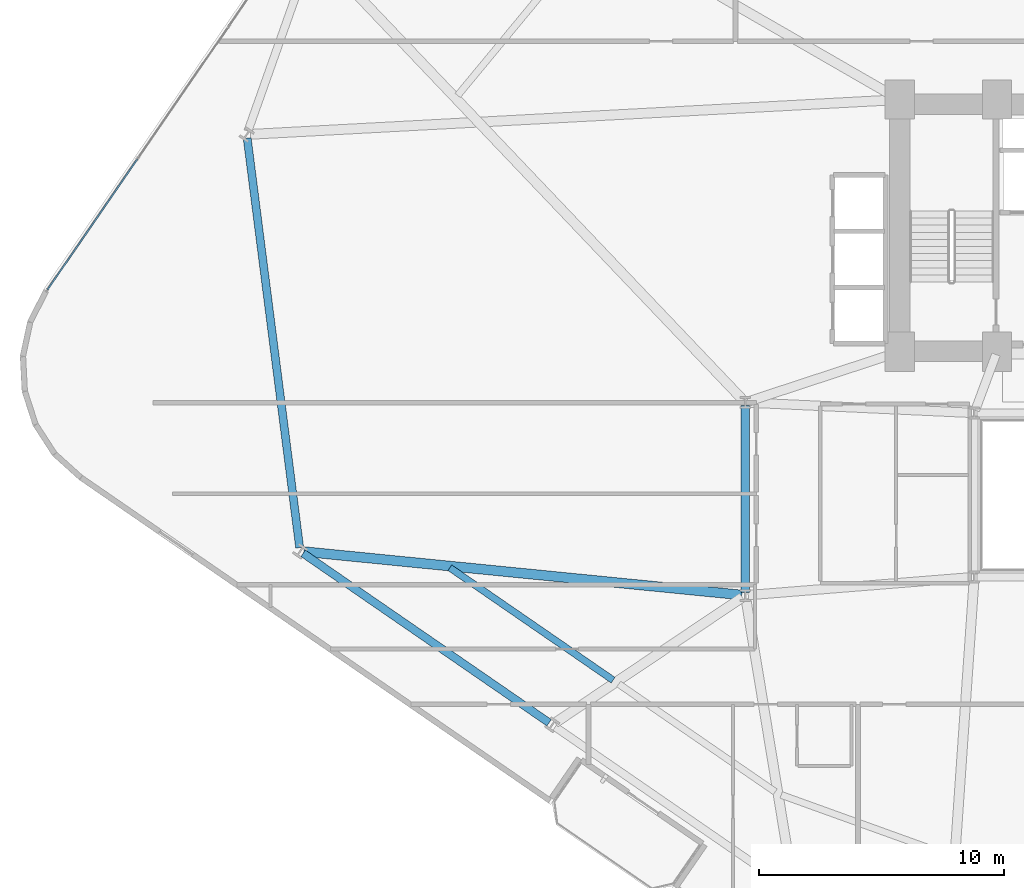
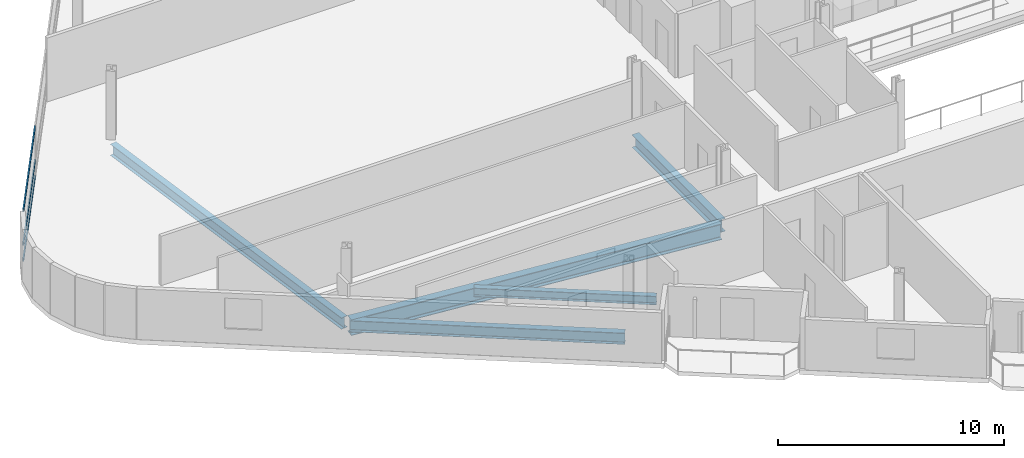
# One storey, part 3 of 24: 5 beams, 3 members, 1 element without a shape of its own.
"""IFC4 building model written with IfcOpenShell, lengths in metres."""

from ifc_helpers import new_model, si_unit, direction, frame, origin, origin_2d, place, context, subcontext, project, spatial, hollow_rectangle, i_section, extrude, material, layer, layer_set, material_profile, profile_set, type_object, element, aggregate, save


model = new_model("IFC4")

# Units and contexts
model_context = context("Model", 3, precision=1e-05, world=origin(), true_north=direction((0.0, 1.0)))
body_context = subcontext(model_context, "Body", "Model", "MODEL_VIEW")
ifc_project = project(units=[si_unit("LENGTHUNIT", "METRE"), si_unit("AREAUNIT", "SQUARE_METRE"), si_unit("VOLUMEUNIT", "CUBIC_METRE"), si_unit("PLANEANGLEUNIT", "RADIAN"), si_unit("MASSUNIT", "GRAM", prefix="KILO")], contexts=[model_context])

# Site, building, storey
site_placement = place(None, origin())
site = spatial("IfcSite", under=ifc_project, at=site_placement, CompositionType="ELEMENT")
building_placement = place(site_placement, origin())
building = spatial("IfcBuilding", under=site, at=building_placement, Name="Varnelok Gate Tower", CompositionType="ELEMENT")
storey_placement = place(building_placement, frame((0.0, 0.0, 41.800048828125)))
storey = spatial("IfcBuildingStorey", under=building, at=storey_placement, Name="L09", CompositionType="ELEMENT", Elevation=41.800048828125)

# Beams
ifc_material_1 = material(Name="Structural Steel ASTM A992 Grade 50", Category="steel")
ifc_material_profile_1 = material_profile(ifc_material_1, i_section(OverallWidth=0.280029296875, OverallDepth=0.462890625, WebThickness=0.0107421875, FlangeThickness=0.017333984375, FilletRadius=0.014892578125, at=origin_2d()), Name="W18X76")
ifc_profile_set_1 = profile_set([ifc_material_profile_1], Name="Structural Steel ASTM A992 Grade 50")
beam_type_1 = type_object("IfcBeamType", Name="BM-JST-W18X76", PredefinedType="JOIST", material=ifc_profile_set_1)
beam_1_placement = place(storey_placement, frame((12.3310546875, 19.928466796875, -0.4814453125), z_axis=(0.823532961972, -0.567268420191, 0.0), x_axis=(0.567268420191, 0.823532961972, 0.0)))
element("IfcBeam", 1, at=beam_1_placement, inside=storey, type_object=beam_type_1, Name="L09 Sector Floor Joist 1", PredefinedType="JOIST", context=body_context, shape_type="SweptSolid", body=[
    extrude(i_section(OverallWidth=0.280029296875, OverallDepth=0.462890625, WebThickness=0.0107421875, FlangeThickness=0.017333984375, FilletRadius=0.014892578125, at=origin_2d()), origin(), (0.0, 0.0, 1.0), 8.094970703125),
])
ifc_material_profile_2 = material_profile(ifc_material_1, i_section(OverallWidth=0.35498046875, OverallDepth=0.696044921875, WebThickness=0.015380859375, FlangeThickness=0.02490234375, FilletRadius=0.02001953125, at=origin_2d()), Name="W27X146")
ifc_profile_set_2 = profile_set([ifc_material_profile_2], Name="Structural Steel ASTM A992 Grade 50")
beam_type_2 = type_object("IfcBeamType", Name="BM-PRI-W27X146", PredefinedType="BEAM", material=ifc_profile_set_2)
beam_2_placement = place(storey_placement, frame((24.39990234375, 18.919921875, -0.59814453125), z_axis=(0.0, 1.0, 0.0), x_axis=(-1.0, 0.0, 0.0)))
element("IfcBeam", 2, at=beam_2_placement, inside=storey, type_object=beam_type_2, Name="L09 Core-Atrium Spine Beam 16", PredefinedType="BEAM", context=body_context, shape_type="SweptSolid", body=[
    extrude(i_section(OverallWidth=0.35498046875, OverallDepth=0.696044921875, WebThickness=0.015380859375, FlangeThickness=0.02490234375, FilletRadius=0.02001953125, at=origin_2d()), origin(), (0.0, 0.0, 1.0), 7.64013671875),
])
ifc_material_profile_3 = material_profile(ifc_material_1, i_section(OverallWidth=0.39892578125, OverallDepth=0.85498046875, WebThickness=0.018310546875, FlangeThickness=0.029296875, FilletRadius=0.02392578125, at=origin_2d()), Name="W33X201")
ifc_profile_set_3 = profile_set([ifc_material_profile_3], Name="Structural Steel ASTM A992 Grade 50")
beam_type_3 = type_object("IfcBeamType", Name="BM-PRI-W33X201", PredefinedType="BEAM", material=ifc_profile_set_3)
beam_3_placement = place(storey_placement, frame((24.250732421875, 18.814697265625, -0.677490234375), z_axis=(-0.995122218733, 0.098649732815, 0.0), x_axis=(-0.098649732815, -0.995122218733, 0.0)))
element("IfcBeam", 3, at=beam_3_placement, inside=storey, type_object=beam_type_3, Name="L09 Radial Floor Girder 1", PredefinedType="BEAM", context=body_context, shape_type="SweptSolid", body=[
    extrude(i_section(OverallWidth=0.39892578125, OverallDepth=0.85498046875, WebThickness=0.018310546875, FlangeThickness=0.029296875, FilletRadius=0.02392578125, at=origin_2d()), origin(), (0.0, 0.0, 1.0), 17.974609375),
])
ifc_material_profile_4 = material_profile(ifc_material_1, i_section(OverallWidth=0.323974609375, OverallDepth=0.611083984375, WebThickness=0.0126953125, FlangeThickness=0.01904296875, FilletRadius=0.01806640625, at=origin_2d()), Name="W24X104")
ifc_profile_set_4 = profile_set([ifc_material_profile_4], Name="Structural Steel ASTM A992 Grade 50")
beam_type_4 = type_object("IfcBeamType", Name="BM-SPN-W24X104", PredefinedType="SPANDREL", material=ifc_profile_set_4)
beam_4_placement = place(storey_placement, frame((6.337890625, 20.517578125, -0.5556640625), z_axis=(0.823540632156, -0.567257284826, 0.0), x_axis=(0.567257284826, 0.823540632156, 0.0)))
element("IfcBeam", 4, at=beam_4_placement, inside=storey, type_object=beam_type_4, Name="L09 Perimeter Spandrel Beam 1", PredefinedType="SPANDREL", context=body_context, shape_type="SweptSolid", body=[
    extrude(i_section(OverallWidth=0.323974609375, OverallDepth=0.611083984375, WebThickness=0.0126953125, FlangeThickness=0.01904296875, FilletRadius=0.01806640625, at=origin_2d()), origin(), (0.0, 0.0, 1.0), 12.2001953125),
])
beam_5_placement = place(storey_placement, frame((4.05224609375, 37.47509765625, -0.5556640625), z_axis=(0.127106601297, -0.991889062298, 0.0), x_axis=(0.991889062298, 0.127106601297, 0.0)))
element("IfcBeam", 5, at=beam_5_placement, inside=storey, type_object=beam_type_4, Name="L09 Perimeter Spandrel Beam 16", PredefinedType="SPANDREL", context=body_context, shape_type="SweptSolid", body=[
    extrude(i_section(OverallWidth=0.323974609375, OverallDepth=0.611083984375, WebThickness=0.0126953125, FlangeThickness=0.01904296875, FilletRadius=0.01806640625, at=origin_2d()), origin(), (0.0, 0.0, 1.0), 16.8603515625),
])

# Curtain wall, members
ifc_material_2 = material(Name="Anodized Aluminum Alloy 6063-T6", Category="aluminium")
ifc_layer = layer(ifc_material_2, 0.179931640625)
ifc_layer_set = layer_set([ifc_layer], Name="Anodized Aluminum Alloy 6063-T6")
curtain_wall_type = type_object("IfcCurtainWallType", Name="CW3-HOTEL-VISION", PredefinedType="USERDEFINED", material=ifc_layer_set)
curtain_wall_placement = place(storey_placement, origin())
curtain_wall = element("IfcCurtainWall", 6, at=curtain_wall_placement, inside=storey, type_object=curtain_wall_type, Name="L09 West End Vision Curtain Wall", ObjectType="UNITISED CURTAIN WALL", PredefinedType="USERDEFINED")
ifc_material_profile_5 = material_profile(ifc_material_2, hollow_rectangle(XDim=0.06494140625, YDim=0.159912109375, WallThickness=0.00390625, at=origin_2d()), Name="ALU160X65X4")
ifc_profile_set_5 = profile_set([ifc_material_profile_5], Name="Anodized Aluminum Alloy 6063-T6")
member_type = type_object("IfcMemberType", Name="CW-TRAN-160", PredefinedType="USERDEFINED", material=ifc_profile_set_5)
member_1_placement = place(storey_placement, frame((-4.10546875, 31.287353515625, 0.032470703125), z_axis=(0.567255754851, 0.823541686006, 0.0), x_axis=(-0.823541686006, 0.567255754851, 0.0)))
member_1 = element("IfcMember", 7, at=member_1_placement, type_object=member_type, Name="CW3 transom 1.1", ObjectType="TRANSOM", PredefinedType="USERDEFINED", context=body_context, shape_type="SweptSolid", body=[
    extrude(hollow_rectangle(XDim=0.06494140625, YDim=0.159912109375, WallThickness=0.00390625, at=origin_2d()), origin(), (0.0, 0.0, 1.0), 6.46923828125),
])
member_2_placement = place(storey_placement, frame((-4.10546875, 31.287353515625, 0.89990234375), z_axis=(0.567255754851, 0.823541686006, 0.0), x_axis=(-0.823541686006, 0.567255754851, 0.0)))
member_2 = element("IfcMember", 8, at=member_2_placement, type_object=member_type, Name="CW3 transom 1.2", ObjectType="TRANSOM", PredefinedType="USERDEFINED", context=body_context, shape_type="SweptSolid", body=[
    extrude(hollow_rectangle(XDim=0.06494140625, YDim=0.159912109375, WallThickness=0.00390625, at=origin_2d()), origin(), (0.0, 0.0, 1.0), 6.46923828125),
])
member_3_placement = place(storey_placement, frame((-4.10546875, 31.287353515625, 2.697509765625), z_axis=(0.567255754851, 0.823541686006, 0.0), x_axis=(-0.823541686006, 0.567255754851, 0.0)))
member_3 = element("IfcMember", 9, at=member_3_placement, type_object=member_type, Name="CW3 transom 1.3", ObjectType="TRANSOM", PredefinedType="USERDEFINED", context=body_context, shape_type="SweptSolid", body=[
    extrude(hollow_rectangle(XDim=0.06494140625, YDim=0.159912109375, WallThickness=0.00390625, at=origin_2d()), origin(), (0.0, 0.0, 1.0), 6.46923828125),
])
aggregate(curtain_wall, [member_1, member_2, member_3])

save(model, "model.ifc")
